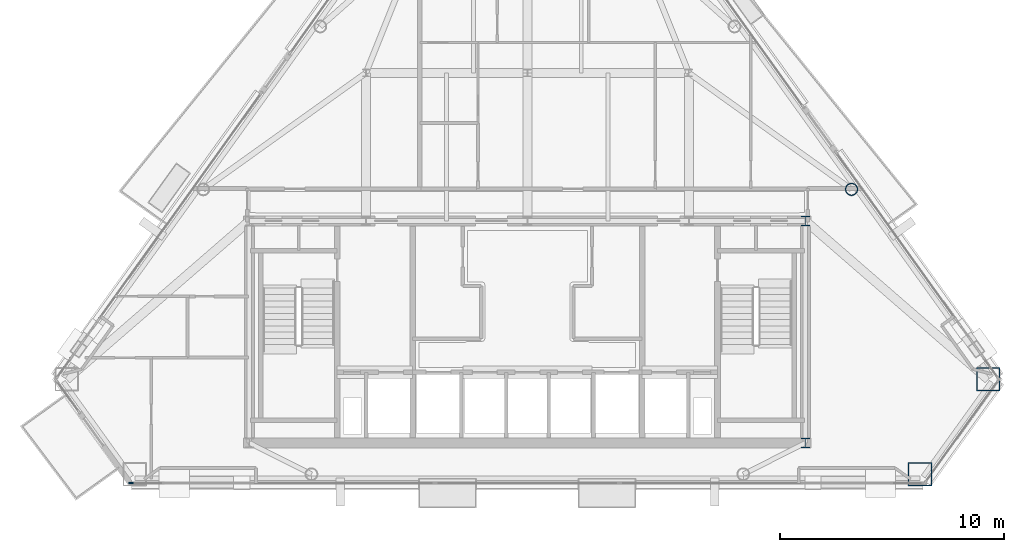
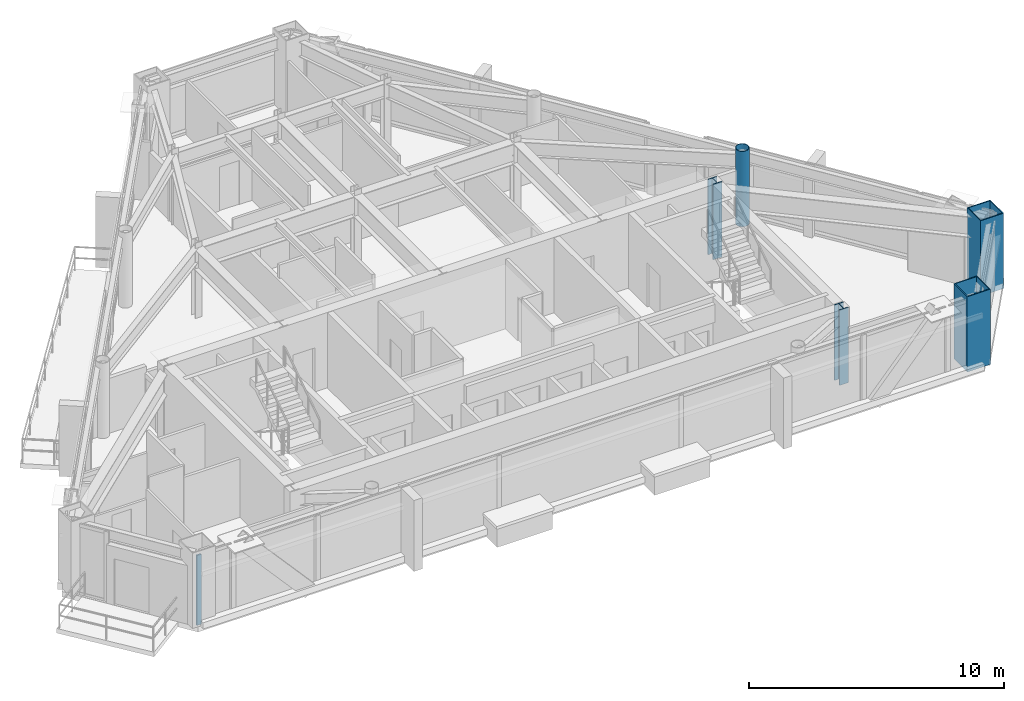
# One storey, part 2 of 11: 5 columns, 1 member, 1 element without a shape of its own.
"""IFC4 building model written with IfcOpenShell, lengths in metres."""

from ifc_helpers import new_model, si_unit, direction, frame, origin, origin_2d, place, context, subcontext, project, spatial, rectangle, hollow_rectangle, hollow_circle, i_section, extrude, material, layer, layer_set, material_profile, profile_set, type_object, element, aggregate, save


model = new_model("IFC4")

# Units and contexts
model_context = context("Model", 3, precision=1e-05, world=origin(), true_north=direction((0.0, 1.0)))
body_context = subcontext(model_context, "Body", "Model", "MODEL_VIEW")
ifc_project = project(units=[si_unit("LENGTHUNIT", "METRE"), si_unit("AREAUNIT", "SQUARE_METRE"), si_unit("VOLUMEUNIT", "CUBIC_METRE"), si_unit("PLANEANGLEUNIT", "RADIAN"), si_unit("MASSUNIT", "GRAM", prefix="KILO")], contexts=[model_context])

# Site, building, storey
site_placement = place(None, origin())
site = spatial("IfcSite", under=ifc_project, at=site_placement, CompositionType="ELEMENT")
building_placement = place(site_placement, origin())
building = spatial("IfcBuilding", under=site, at=building_placement, Name="Talgorran Terracotta Tower", CompositionType="ELEMENT")
storey_placement = place(building_placement, frame((0.0, 0.0, 203.699951171875)))
storey = spatial("IfcBuildingStorey", under=building, at=storey_placement, Name="L53", CompositionType="ELEMENT", Elevation=203.699951171875)

# Columns
ifc_material_1 = material(Name="Steel S355 (300PLUS)", Category="steel")
ifc_material_profile_1 = material_profile(ifc_material_1, i_section(OverallWidth=0.39990234375, OverallDepth=0.43994140625, WebThickness=0.028076171875, FlangeThickness=0.0400390625, at=origin_2d()), Name="400WC328")
ifc_profile_set_1 = profile_set([ifc_material_profile_1], Name="Steel S355 (300PLUS)")
column_type_1 = type_object("IfcColumnType", Name="COL_400WC328", PredefinedType="COLUMN", material=ifc_profile_set_1)
for number, where, z_axis, x_axis, name in (
    (1, (12.39990234375, -14.10009765625, 0.0), (0.0, 0.0, 1.0), (1.0, 0.0, 0.0), "L53 Core Boundary Column CC2"),
    (2, (12.39990234375, -4.199951171875, 0.0), (0.0, 0.0, 1.0), (1.0, 0.0, 0.0), "L53 Core Boundary Column CC3"),
):
    element("IfcColumn", number, at=place(storey_placement, frame(where, z_axis=z_axis, x_axis=x_axis)), inside=storey, type_object=column_type_1, Name=name, PredefinedType="COLUMN", context=body_context, shape_type="SweptSolid", body=[
        extrude(i_section(OverallWidth=0.39990234375, OverallDepth=0.43994140625, WebThickness=0.028076171875, FlangeThickness=0.0400390625, at=origin_2d()), origin(), (0.0, 0.0, 1.0), 3.60009765625),
    ])
ifc_material_2 = material(Name="Steel Grade 350 (350L0)", Category="steel")
ifc_material_profile_2 = material_profile(ifc_material_2, hollow_rectangle(XDim=1.050048828125, YDim=1.050048828125, WallThickness=0.044921875, at=origin_2d()), Name="CFT1050X1050X45")
ifc_profile_set_2 = profile_set([ifc_material_profile_2], Name="Steel Grade 350 (350L0)")
column_type_2 = type_object("IfcColumnType", Name="COL_CFT_1050", PredefinedType="COLUMN", material=ifc_profile_set_2)
for number, where, z_axis, x_axis, name in (
    (3, (17.5107421875, -15.49658203125, 0.0), (0.0, 0.0, 1.0), (1.0, 0.0, 0.0), "L53 Corner CFT Mega-Column MC3"),
    (4, (20.54833984375, -11.26953125, 0.0), (0.0, 0.0, 1.0), (1.0, 0.0, 0.0), "L53 Corner CFT Mega-Column MC4"),
):
    element("IfcColumn", number, at=place(storey_placement, frame(where, z_axis=z_axis, x_axis=x_axis)), inside=storey, type_object=column_type_2, Name=name, PredefinedType="COLUMN", context=body_context, shape_type="SweptSolid", body=[
        extrude(hollow_rectangle(XDim=1.050048828125, YDim=1.050048828125, WallThickness=0.044921875, at=origin_2d()), origin(), (0.0, 0.0, 1.0), 3.60009765625),
    ])
ifc_material_profile_3 = material_profile(ifc_material_2, hollow_circle(Radius=0.27490234375, WallThickness=0.02392578125, at=origin_2d()), Name="CHS550X24")
ifc_profile_set_3 = profile_set([ifc_material_profile_3], Name="Steel Grade 350 (350L0)")
column_type_3 = type_object("IfcColumnType", Name="COL_CHS_550", PredefinedType="COLUMN", material=ifc_profile_set_3)
column_placement = place(storey_placement, frame((14.45703125, -2.79296875, 0.0), z_axis=(0.0, 0.0, 1.0), x_axis=(1.0, 0.0, 0.0)))
element("IfcColumn", 5, at=column_placement, inside=storey, type_object=column_type_3, Name="L53 Facet Perimeter Column FC3", PredefinedType="COLUMN", context=body_context, shape_type="SweptSolid", body=[
    extrude(hollow_circle(Radius=0.27490234375, WallThickness=0.02392578125, at=origin_2d()), origin(), (0.0, 0.0, 1.0), 3.60009765625),
])

# Curtain wall, member
ifc_material_3 = material(Name="High-Wind Unitised Glazing", Category="glass")
ifc_layer = layer(ifc_material_3, 0.2099609375, Name="CW_SYS3_RES_HIGH")
ifc_layer_set = layer_set([ifc_layer], Name="High-Wind Unitised Glazing")
curtain_wall_type = type_object("IfcCurtainWallType", Name="CW_SYS3_RES_HIGH", PredefinedType="NOTDEFINED", material=ifc_layer_set)
curtain_wall_placement = place(storey_placement, origin())
curtain_wall = element("IfcCurtainWall", 6, at=curtain_wall_placement, inside=storey, type_object=curtain_wall_type, Name="CW-L53-F1", PredefinedType="NOTDEFINED")
ifc_material_4 = material(Name="Architectural Aluminium 6063-T6", Category="aluminium")
ifc_material_profile_4 = material_profile(ifc_material_4, rectangle(XDim=0.070068359375, YDim=0.199951171875, at=origin_2d()), Name="CWM70X200")
ifc_profile_set_4 = profile_set([ifc_material_profile_4], Name="Architectural Aluminium 6063-T6")
member_type = type_object("IfcMemberType", Name="MUL_70X200", PredefinedType="MULLION", material=ifc_profile_set_4)
member_placement = place(storey_placement, frame((-17.680908203125, -15.896728515625, 0.0), z_axis=(0.0, 0.0, 1.0), x_axis=(0.0, 1.0, 0.0)))
member = element("IfcMember", 7, at=member_placement, type_object=member_type, Name="CW-L53-1 mullion 1", PredefinedType="MULLION", context=body_context, shape_type="SweptSolid", body=[
    extrude(rectangle(XDim=0.070068359375, YDim=0.199951171875, at=origin_2d()), origin(), (0.0, 0.0, 1.0), 3.344970703125),
])
aggregate(curtain_wall, [member])

save(model, "model.ifc")
